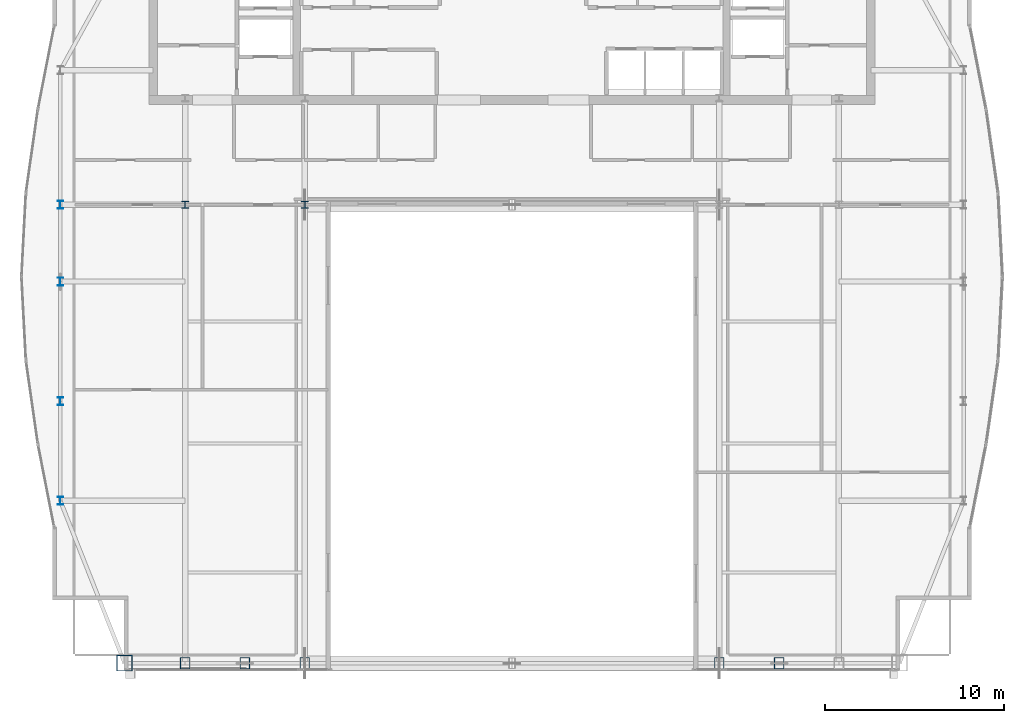
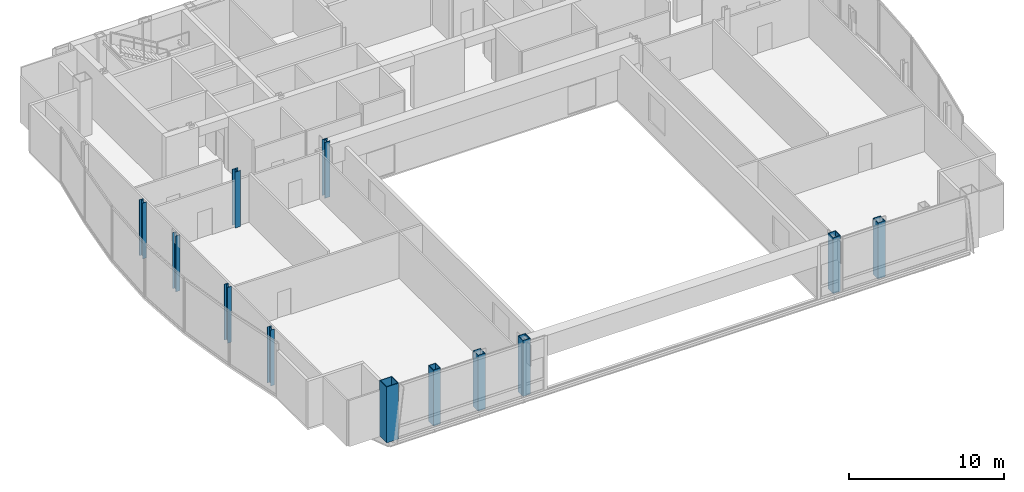
# One storey, part 1 of 27: 12 columns.
"""IFC4 building model written with IfcOpenShell, lengths in metres."""

from ifc_helpers import new_model, si_unit, direction, frame, origin, origin_2d, place, context, subcontext, project, spatial, hollow_rectangle, i_section, extrude, material, material_profile, profile_set, type_object, element, save


model = new_model("IFC4")

# Units and contexts
model_context = context("Model", 3, precision=1e-05, world=origin(), true_north=direction((0.0, 1.0)))
body_context = subcontext(model_context, "Body", "Model", "MODEL_VIEW")
ifc_project = project(units=[si_unit("LENGTHUNIT", "METRE"), si_unit("AREAUNIT", "SQUARE_METRE"), si_unit("VOLUMEUNIT", "CUBIC_METRE"), si_unit("PLANEANGLEUNIT", "RADIAN"), si_unit("MASSUNIT", "GRAM", prefix="KILO")], contexts=[model_context])

# Site, building, storey
site_placement = place(None, origin())
site = spatial("IfcSite", under=ifc_project, at=site_placement, CompositionType="ELEMENT")
building_placement = place(site_placement, origin())
building = spatial("IfcBuilding", under=site, at=building_placement, Name="Khoronbel Lancet Exchange", CompositionType="ELEMENT")
storey_placement = place(building_placement, frame((0.0, 0.0, 310.199951171875)))
storey = spatial("IfcBuildingStorey", under=building, at=storey_placement, Name="L80", CompositionType="ELEMENT", Elevation=310.199951171875)

# Columns
ifc_material_1 = material(Name="Steel S460", Category="steel")
ifc_material_profile_1 = material_profile(ifc_material_1, hollow_rectangle(XDim=0.550048828125, YDim=0.64990234375, WallThickness=0.0400390625, at=origin_2d()), Name="BOX 650x550x40")
ifc_profile_set_1 = profile_set([ifc_material_profile_1], Name="Steel S460")
column_type_1 = type_object("IfcColumnType", Name="COL-EC4", PredefinedType="COLUMN", material=ifc_profile_set_1)
for number, where, z_axis, x_axis, name in (
    (1, (18.22509765625, 10.14990234375, 0.0), (0.0, 0.0, 1.0), (1.0, 0.0, 0.0), "Structural column SC-W1 L80"),
    (2, (21.5625, 10.14990234375, 0.0), (0.0, 0.0, 1.0), (1.0, 0.0, 0.0), "Structural column SC-WM L80"),
    (3, (24.89990234375, 10.14990234375, 0.0), (0.0, 0.0, 1.0), (1.0, 0.0, 0.0), "Structural column SC-W2 L80"),
    (4, (48.0, 10.14990234375, 0.0), (0.0, 0.0, 1.0), (1.0, 0.0, 0.0), "Structural column SC-E1 L80"),
    (5, (51.33740234375, 10.14990234375, 0.0), (0.0, 0.0, 1.0), (1.0, 0.0, 0.0), "Structural column SC-EM L80"),
):
    element("IfcColumn", number, at=place(storey_placement, frame(where, z_axis=z_axis, x_axis=x_axis)), inside=storey, type_object=column_type_1, Name=name, PredefinedType="COLUMN", context=body_context, shape_type="SweptSolid", body=[
        extrude(hollow_rectangle(XDim=0.550048828125, YDim=0.64990234375, WallThickness=0.0400390625, at=origin_2d()), origin(), (0.0, 0.0, 1.0), 4.400146484375),
    ])
ifc_material_2 = material(Name="Steel S355", Category="steel")
ifc_material_profile_2 = material_profile(ifc_material_2, i_section(OverallWidth=0.39892578125, OverallDepth=0.39306640625, WebThickness=0.022705078125, FlangeThickness=0.03662109375, at=origin_2d()), Name="HD 400x287")
ifc_profile_set_2 = profile_set([ifc_material_profile_2], Name="Steel S355")
column_type_2 = type_object("IfcColumnType", Name="COL-IC4", PredefinedType="COLUMN", material=ifc_profile_set_2)
for number, where, z_axis, x_axis, name in (
    (6, (18.22509765625, 35.699951171875, 0.0), (0.0, 0.0, 1.0), (1.0, 0.0, 0.0), "Spine gravity column TC1 L80"),
    (7, (24.89990234375, 35.699951171875, 0.0), (0.0, 0.0, 1.0), (1.0, 0.0, 0.0), "Spine gravity column TC2 L80"),
):
    element("IfcColumn", number, at=place(storey_placement, frame(where, z_axis=z_axis, x_axis=x_axis)), inside=storey, type_object=column_type_2, Name=name, PredefinedType="COLUMN", context=body_context, shape_type="SweptSolid", body=[
        extrude(i_section(OverallWidth=0.39892578125, OverallDepth=0.39306640625, WebThickness=0.022705078125, FlangeThickness=0.03662109375, at=origin_2d()), origin(), (0.0, 0.0, 1.0), 4.400146484375),
    ])
ifc_material_profile_3 = material_profile(ifc_material_2, i_section(OverallWidth=0.300048828125, OverallDepth=0.449951171875, WebThickness=0.013916015625, FlangeThickness=0.02587890625, at=origin_2d()), Name="HEB 450")
ifc_profile_set_3 = profile_set([ifc_material_profile_3], Name="Steel S355")
column_type_3 = type_object("IfcColumnType", Name="COL-LC2", PredefinedType="COLUMN", material=ifc_profile_set_3)
for number, where, z_axis, x_axis, name in (
    (8, (11.27001953125, 19.199951171875, 0.0), (0.0, 0.0, 1.0), (1.0, 0.0, 0.0), "Structural column WC-1 L80"),
    (9, (11.27001953125, 24.75, 0.0), (0.0, 0.0, 1.0), (1.0, 0.0, 0.0), "Structural column WC-2 L80"),
    (10, (11.27001953125, 31.425048828125, 0.0), (0.0, 0.0, 1.0), (1.0, 0.0, 0.0), "Structural column WC-M L80"),
    (11, (11.27001953125, 35.699951171875, 0.0), (0.0, 0.0, 1.0), (1.0, 0.0, 0.0), "Structural column WC-3 L80"),
):
    element("IfcColumn", number, at=place(storey_placement, frame(where, z_axis=z_axis, x_axis=x_axis)), inside=storey, type_object=column_type_3, Name=name, PredefinedType="COLUMN", context=body_context, shape_type="SweptSolid", body=[
        extrude(i_section(OverallWidth=0.300048828125, OverallDepth=0.449951171875, WebThickness=0.013916015625, FlangeThickness=0.02587890625, at=origin_2d()), origin(), (0.0, 0.0, 1.0), 4.400146484375),
    ])
ifc_material_profile_4 = material_profile(ifc_material_1, hollow_rectangle(XDim=0.89990234375, YDim=0.89990234375, WallThickness=0.050048828125, at=origin_2d()), Name="BOX 900x900x50")
ifc_profile_set_4 = profile_set([ifc_material_profile_4], Name="Steel S460")
column_type_4 = type_object("IfcColumnType", Name="COL-MC7", PredefinedType="COLUMN", material=ifc_profile_set_4)
column_placement = place(storey_placement, frame((14.85009765625, 10.14990234375, 0.0), z_axis=(0.0, 0.0, 1.0), x_axis=(1.0, 0.0, 0.0)))
element("IfcColumn", 12, at=column_placement, inside=storey, type_object=column_type_4, Name="Structural column MC-SW L80", PredefinedType="COLUMN", context=body_context, shape_type="SweptSolid", body=[
    extrude(hollow_rectangle(XDim=0.89990234375, YDim=0.89990234375, WallThickness=0.050048828125, at=origin_2d()), origin(), (0.0, 0.0, 1.0), 4.400146484375),
])

save(model, "model.ifc")
